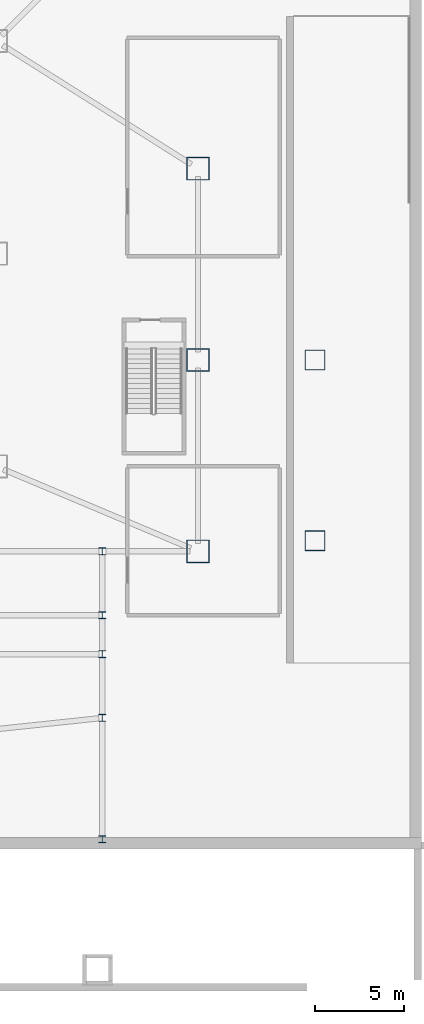
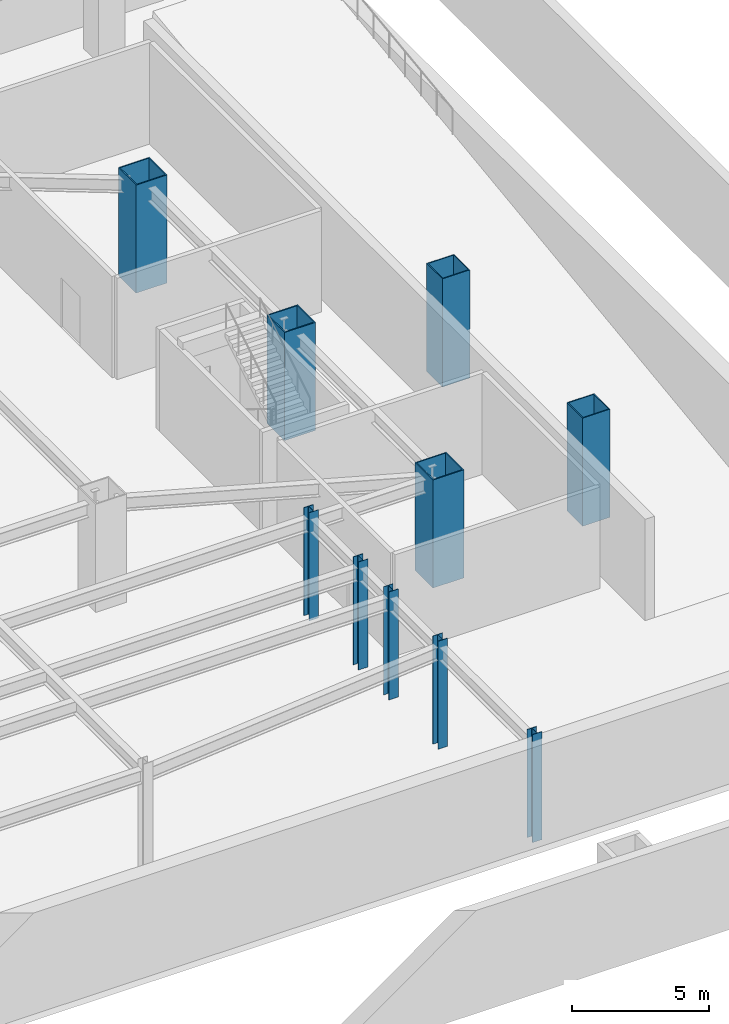
# One storey, part 3 of 15: 10 columns.
"""IFC4 building model written with IfcOpenShell, lengths in metres."""

from ifc_helpers import new_model, si_unit, direction, frame, origin, origin_2d, place, context, subcontext, project, spatial, hollow_rectangle, i_section, extrude, material, material_profile, profile_set, type_object, element, save


model = new_model("IFC4")

# Units and contexts
model_context = context("Model", 3, precision=1e-05, world=origin(), true_north=direction((0.0, 1.0)))
body_context = subcontext(model_context, "Body", "Model", "MODEL_VIEW")
ifc_project = project(units=[si_unit("LENGTHUNIT", "METRE"), si_unit("AREAUNIT", "SQUARE_METRE"), si_unit("VOLUMEUNIT", "CUBIC_METRE"), si_unit("PLANEANGLEUNIT", "RADIAN"), si_unit("MASSUNIT", "GRAM", prefix="KILO")], contexts=[model_context])

# Site, building, storey
site_placement = place(None, origin())
site = spatial("IfcSite", under=ifc_project, at=site_placement, CompositionType="ELEMENT")
building_placement = place(site_placement, origin())
building = spatial("IfcBuilding", under=site, at=building_placement, Name="Haolan Belvedere Tower", CompositionType="ELEMENT")
storey_placement = place(building_placement, frame((0.0, 0.0, -4.800048828125)))
storey = spatial("IfcBuildingStorey", under=building, at=storey_placement, Name="B1", CompositionType="ELEMENT", Elevation=-4.800048828125)

# Columns
ifc_material = material(Name="Steel Q355B", Category="steel")
ifc_material_profile_1 = material_profile(ifc_material, hollow_rectangle(XDim=1.14990234375, YDim=1.14990234375, WallThickness=0.0419921875, at=origin_2d()), Name="Steel Q355B")
ifc_profile_set_1 = profile_set([ifc_material_profile_1], Name="Steel Q355B")
column_type_1 = type_object("IfcColumnType", Name="COL-BOX1150x1150x42", PredefinedType="COLUMN", material=ifc_profile_set_1)
for number, where, z_axis, x_axis, name in (
    (1, (70.800048828125, 17.39990234375, 0.0), (0.0, 0.0, 1.0), (1.0, 0.0, 0.0), "B1 column MC-T5-SE (BOX1150x1150x42)"),
    (2, (70.800048828125, 27.60009765625, 0.0), (0.0, 0.0, 1.0), (1.0, 0.0, 0.0), "B1 column MC-T5-NE (BOX1150x1150x42)"),
):
    element("IfcColumn", number, at=place(storey_placement, frame(where, z_axis=z_axis, x_axis=x_axis)), inside=storey, type_object=column_type_1, Name=name, PredefinedType="COLUMN", context=body_context, shape_type="SweptSolid", body=[
        extrude(hollow_rectangle(XDim=1.14990234375, YDim=1.14990234375, WallThickness=0.0419921875, at=origin_2d()), origin(), (0.0, 0.0, 1.0), 4.800048828125),
    ])
ifc_material_profile_2 = material_profile(ifc_material, hollow_rectangle(XDim=1.300048828125, YDim=1.300048828125, WallThickness=0.048095703125, at=origin_2d()), Name="Steel Q355B")
ifc_profile_set_2 = profile_set([ifc_material_profile_2], Name="Steel Q355B")
column_type_2 = type_object("IfcColumnType", Name="COL-BOX1300x1300x48", PredefinedType="COLUMN", material=ifc_profile_set_2)
for number, where, z_axis, x_axis, name in (
    (3, (64.199951171875, 16.800048828125, 0.0), (0.0, 0.0, 1.0), (1.0, 0.0, 0.0), "B1 column MC-T4-SE (BOX1300x1300x48)"),
    (4, (64.199951171875, 27.60009765625, 0.0), (0.0, 0.0, 1.0), (1.0, 0.0, 0.0), "B1 column MC-T4-ME (BOX1300x1300x48)"),
    (5, (64.199951171875, 38.39990234375, 0.0), (0.0, 0.0, 1.0), (1.0, 0.0, 0.0), "B1 column MC-T4-NE (BOX1300x1300x48)"),
):
    element("IfcColumn", number, at=place(storey_placement, frame(where, z_axis=z_axis, x_axis=x_axis)), inside=storey, type_object=column_type_2, Name=name, PredefinedType="COLUMN", context=body_context, shape_type="SweptSolid", body=[
        extrude(hollow_rectangle(XDim=1.300048828125, YDim=1.300048828125, WallThickness=0.048095703125, at=origin_2d()), origin(), (0.0, 0.0, 1.0), 4.800048828125),
    ])
ifc_material_profile_3 = material_profile(ifc_material, i_section(OverallWidth=0.39990234375, OverallDepth=0.39990234375, WebThickness=0.012939453125, FlangeThickness=0.02099609375, FilletRadius=0.02197265625, at=origin_2d()), Name="Steel Q355B")
ifc_profile_set_3 = profile_set([ifc_material_profile_3], Name="Steel Q355B")
column_type_3 = type_object("IfcColumnType", Name="COL-HW400x400x13x21", PredefinedType="COLUMN", material=ifc_profile_set_3)
for number, where, z_axis, x_axis, name in (
    (6, (58.800048828125, 0.550048828125, 0.0), (0.0, 0.0, 1.0), (1.0, 0.0, 0.0), "B1 column PC-S0-E (HW400x400x13x21)"),
    (7, (58.800048828125, 7.39990234375, 0.0), (0.0, 0.0, 1.0), (1.0, 0.0, 0.0), "B1 column PC-SE-1 (HW400x400x13x21)"),
    (8, (58.800048828125, 11.0, 0.0), (0.0, 0.0, 1.0), (1.0, 0.0, 0.0), "B1 column PC-CS2-E (HW400x400x13x21)"),
    (9, (58.800048828125, 13.199951171875, 0.0), (0.0, 0.0, 1.0), (1.0, 0.0, 0.0), "B1 column PC-CS3-E (HW400x400x13x21)"),
    (10, (58.800048828125, 16.800048828125, 0.0), (0.0, 0.0, 1.0), (1.0, 0.0, 0.0), "B1 column PC-CS4-E (HW400x400x13x21)"),
):
    element("IfcColumn", number, at=place(storey_placement, frame(where, z_axis=z_axis, x_axis=x_axis)), inside=storey, type_object=column_type_3, Name=name, PredefinedType="COLUMN", context=body_context, shape_type="SweptSolid", body=[
        extrude(i_section(OverallWidth=0.39990234375, OverallDepth=0.39990234375, WebThickness=0.012939453125, FlangeThickness=0.02099609375, FilletRadius=0.02197265625, at=origin_2d()), origin(), (0.0, 0.0, 1.0), 4.800048828125),
    ])

save(model, "model.ifc")
